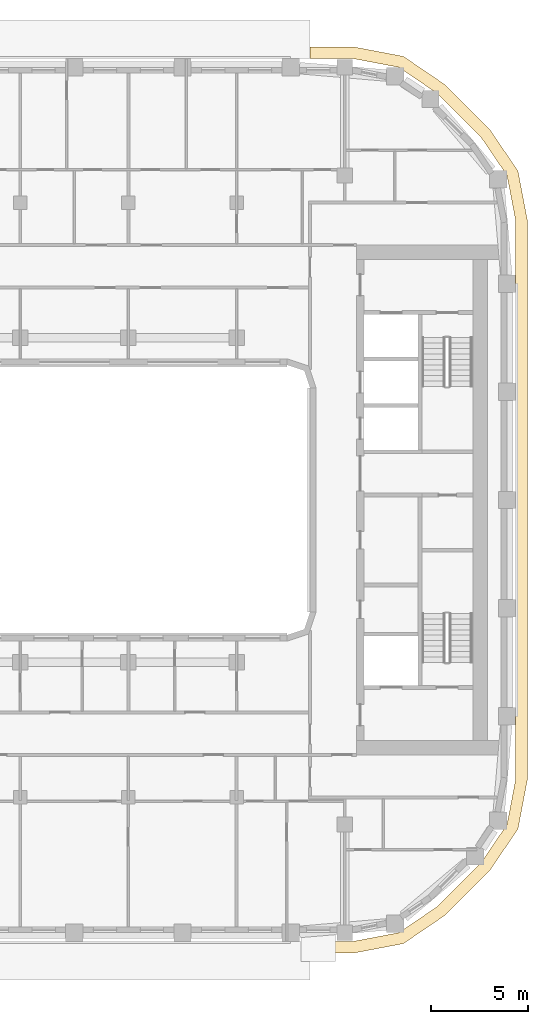
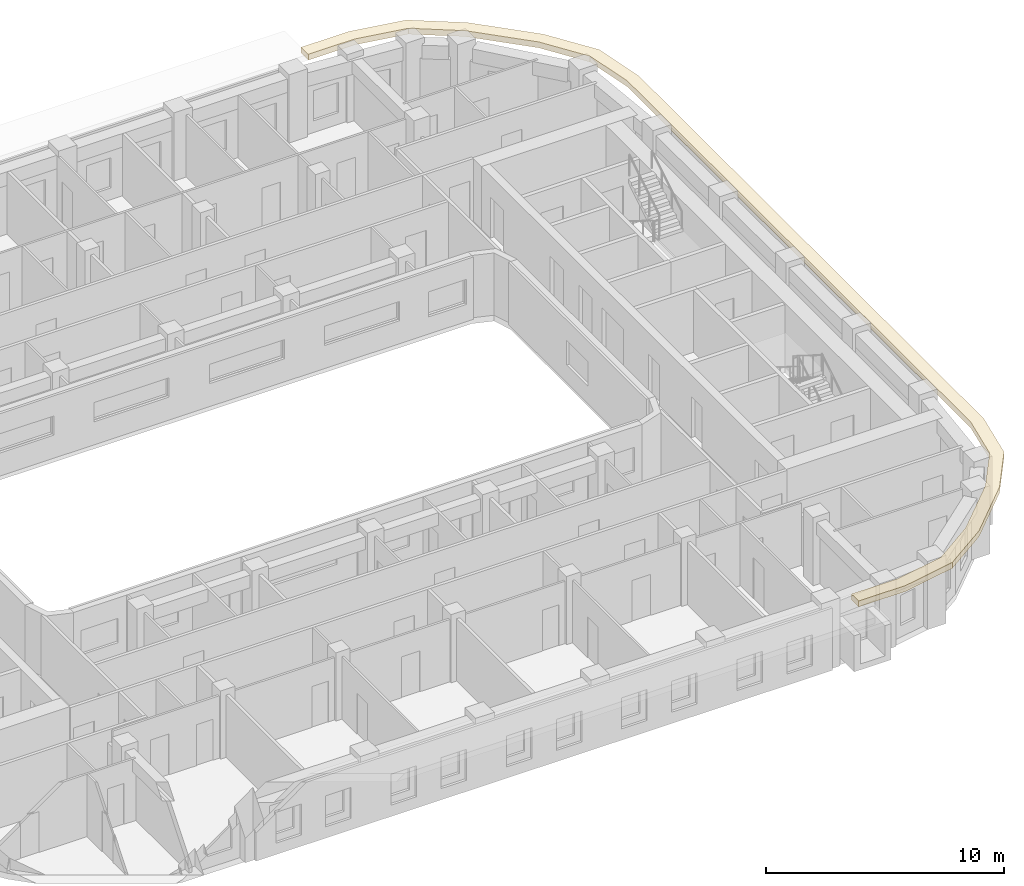
# One storey, part 17 of 21: 1 covering.
"""IFC4 building model written with IfcOpenShell, lengths in metres."""

from ifc_helpers import new_model, si_unit, direction, frame, origin, place, context, subcontext, project, spatial, polyline, outline, extrude, material, layer, layer_set, type_object, element, save


model = new_model("IFC4")

# Units and contexts
model_context = context("Model", 3, precision=1e-05, world=origin(), true_north=direction((0.0, 1.0)))
body_context = subcontext(model_context, "Body", "Model", "MODEL_VIEW")
ifc_project = project(units=[si_unit("LENGTHUNIT", "METRE"), si_unit("AREAUNIT", "SQUARE_METRE"), si_unit("VOLUMEUNIT", "CUBIC_METRE"), si_unit("PLANEANGLEUNIT", "RADIAN"), si_unit("MASSUNIT", "GRAM", prefix="KILO")], contexts=[model_context])

# Site, building, storey
site_placement = place(None, origin())
site = spatial("IfcSite", under=ifc_project, at=site_placement, CompositionType="ELEMENT")
building_placement = place(site_placement, origin())
building = spatial("IfcBuilding", under=site, at=building_placement, Name="Kiln Ring Residences", CompositionType="ELEMENT")
storey_placement = place(building_placement, frame((0.0, 0.0, 192.39990234375)))
storey = spatial("IfcBuildingStorey", under=building, at=storey_placement, Name="L49", CompositionType="ELEMENT", Elevation=192.39990234375)

# Covering
ifc_material = material(Name="Black powder-coated steel", Category="steel")
ifc_layer = layer(ifc_material, 0.300048828125)
ifc_layer_set = layer_set([ifc_layer], Name="SUNSHADE FIN 600")
covering_type = type_object("IfcCoveringType", Name="SUNSHADE FIN 600", PredefinedType="CLADDING", material=ifc_layer_set)
covering_placement = place(storey_placement, frame((0.0, 0.0, 3.2001953125)))
element("IfcCovering", 1, at=covering_placement, inside=storey, type_object=covering_type, Name="SUNSHADE FIN L49", PredefinedType="CLADDING", context=body_context, shape_type="SweptSolid", body=[
    extrude(outline(polyline([(17.29931640625, 23.449951171875), (15.0, 23.449951171875), (15.0, 22.85009765625), (17.242431640625, 22.85009765625), (19.60009765625, 22.400390625), (21.585205078125, 21.05126953125), (23.851318359375, 18.78515625), (25.2001953125, 16.800048828125), (25.64990234375, 14.4423828125), (25.64990234375, -14.4423828125), (25.2001953125, -16.800048828125), (23.851318359375, -18.78515625), (21.585205078125, -21.05126953125), (19.60009765625, -22.400390625), (17.242431640625, -22.85009765625), (15.0, -22.85009765625), (15.0, -23.449951171875), (17.29931640625, -23.449951171875), (19.834716796875, -22.96630859375), (21.96923828125, -21.515625), (24.315673828125, -19.169189453125), (25.766357421875, -17.03466796875), (26.25, -14.499267578125), (26.25, 14.499267578125), (25.766357421875, 17.03466796875), (24.315673828125, 19.169189453125), (21.96923828125, 21.515625), (19.834716796875, 22.96630859375), (17.29931640625, 23.449951171875)])), origin(), (0.0, 0.0, 1.0), 0.2998046875),
])

save(model, "model.ifc")
